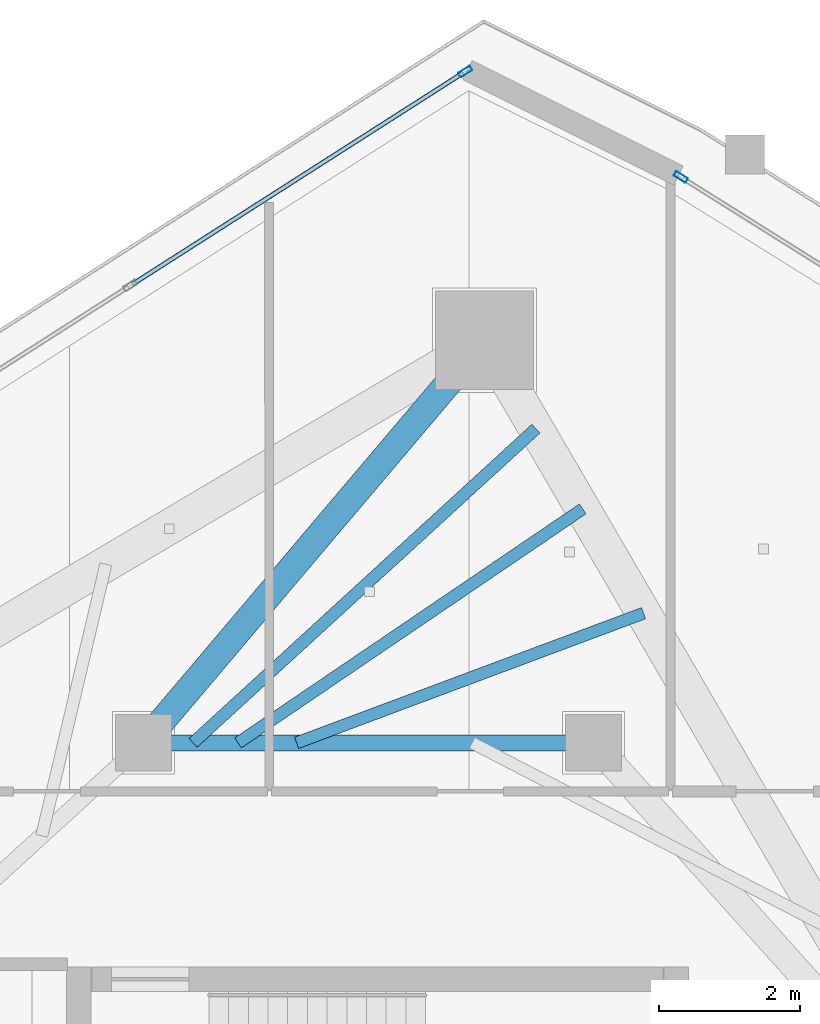
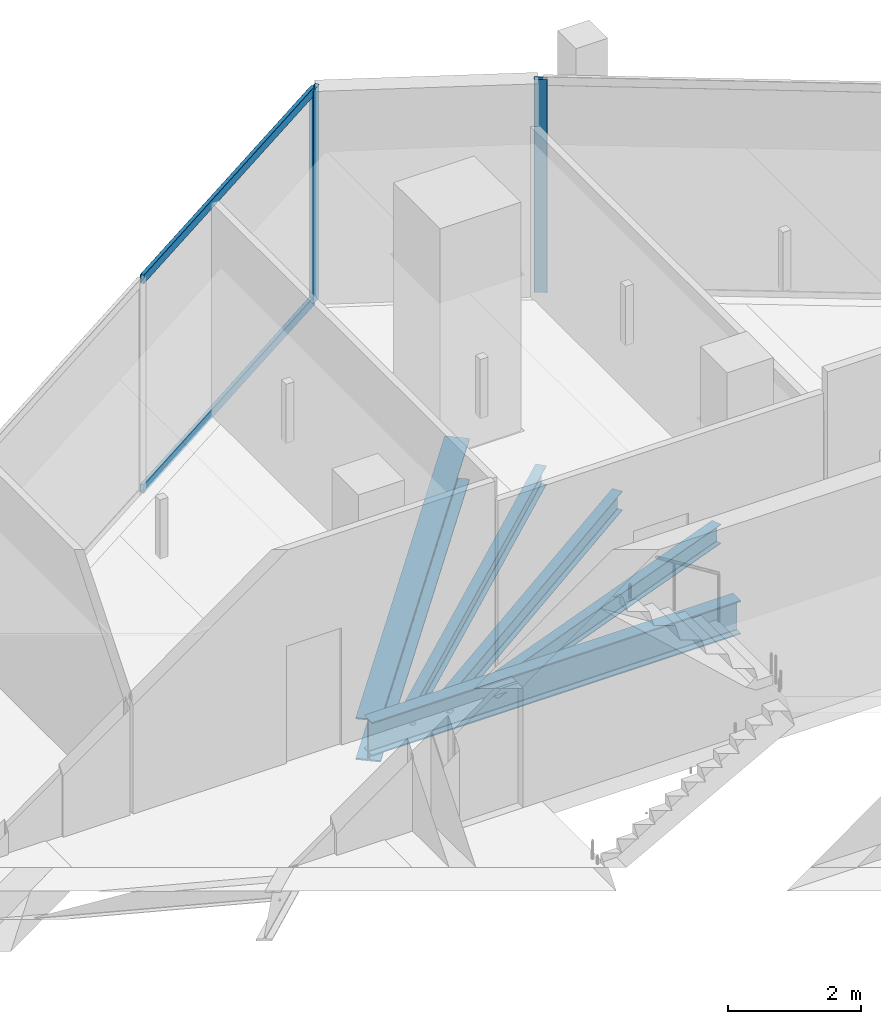
# One storey, part 13 of 24: 5 beams, 4 members, 2 elements without a shape of their own.
"""IFC4 building model written with IfcOpenShell, lengths in metres."""

from ifc_helpers import new_model, si_unit, direction, frame, origin, origin_2d, place, context, subcontext, project, spatial, hollow_rectangle, i_section, extrude, material, layer, layer_set, material_profile, profile_set, type_object, element, aggregate, save


model = new_model("IFC4")

# Units and contexts
model_context = context("Model", 3, precision=1e-05, world=origin(), true_north=direction((0.0, 1.0)))
body_context = subcontext(model_context, "Body", "Model", "MODEL_VIEW")
ifc_project = project(units=[si_unit("LENGTHUNIT", "METRE"), si_unit("AREAUNIT", "SQUARE_METRE"), si_unit("VOLUMEUNIT", "CUBIC_METRE"), si_unit("PLANEANGLEUNIT", "RADIAN"), si_unit("MASSUNIT", "GRAM", prefix="KILO")], contexts=[model_context])

# Site, building, storey
site_placement = place(None, origin())
site = spatial("IfcSite", under=ifc_project, at=site_placement, CompositionType="ELEMENT")
building_placement = place(site_placement, origin())
building = spatial("IfcBuilding", under=site, at=building_placement, Name="Qorvath Tower", CompositionType="ELEMENT")
storey_placement = place(building_placement, frame((0.0, 0.0, 318.60009765625)))
storey = spatial("IfcBuildingStorey", under=building, at=storey_placement, Name="L74", CompositionType="ELEMENT", Elevation=318.60009765625)

# Beams
ifc_material_1 = material(Name="Steel ASTM A992 Grade 50", Category="steel")
ifc_material_profile_1 = material_profile(ifc_material_1, i_section(OverallWidth=0.381103515625, OverallDepth=0.77294921875, WebThickness=0.0166015625, FlangeThickness=0.027099609375, FilletRadius=0.01904296875, at=origin_2d()), Name="W30x173")
ifc_profile_set_1 = profile_set([ifc_material_profile_1], Name="Steel ASTM A992 Grade 50")
beam_type_1 = type_object("IfcBeamType", Name="BM-FG3", PredefinedType="BEAM", material=ifc_profile_set_1)
beam_1_placement = place(storey_placement, frame((-23.60009765625, 11.449951171875, -0.676513671875), z_axis=(0.646321389876, 0.763065305848, 0.0), x_axis=(-0.763065305848, 0.646321389876, 0.0)))
element("IfcBeam", 1, at=beam_1_placement, inside=storey, type_object=beam_type_1, Name="Radial Floor Girder CC1-MC6 L74", PredefinedType="BEAM", context=body_context, shape_type="SweptSolid", body=[
    extrude(i_section(OverallWidth=0.381103515625, OverallDepth=0.77294921875, WebThickness=0.0166015625, FlangeThickness=0.027099609375, FilletRadius=0.01904296875, at=origin_2d()), origin(), (0.0, 0.0, 1.0), 7.50341796875),
])
ifc_material_2 = material(Name="Steel ASTM A992 Grade 50", Category="steel")
ifc_material_profile_2 = material_profile(ifc_material_2, i_section(OverallWidth=0.22998046875, OverallDepth=0.616943359375, WebThickness=0.01318359375, FlangeThickness=0.022216796875, FilletRadius=0.014892578125, at=origin_2d()), Name="W24x94")
ifc_profile_set_2 = profile_set([ifc_material_profile_2], Name="Steel ASTM A992 Grade 50")
beam_type_2 = type_object("IfcBeamType", Name="BM-FG6", PredefinedType="BEAM", material=ifc_profile_set_2)
beam_2_placement = place(storey_placement, frame((-23.60009765625, 11.449951171875, -0.598388671875), z_axis=(1.0, 0.0, 0.0), x_axis=(0.0, 1.0, 0.0)))
element("IfcBeam", 2, at=beam_2_placement, inside=storey, type_object=beam_type_2, Name="Core Ring Girder CC1-CC2 L74", PredefinedType="BEAM", context=body_context, shape_type="SweptSolid", body=[
    extrude(i_section(OverallWidth=0.22998046875, OverallDepth=0.616943359375, WebThickness=0.01318359375, FlangeThickness=0.022216796875, FilletRadius=0.014892578125, at=origin_2d()), origin(), (0.0, 0.0, 1.0), 6.400146484375),
])
ifc_material_3 = material(Name="Steel ASTM A992 Grade 50", Category="steel")
ifc_material_profile_3 = material_profile(ifc_material_3, i_section(OverallWidth=0.1708984375, OverallDepth=0.35107421875, WebThickness=0.0068359375, FlangeThickness=0.009765625, FilletRadius=0.010009765625, at=origin_2d()), Name="W14x30")
ifc_profile_set_3 = profile_set([ifc_material_profile_3], Name="Steel ASTM A992 Grade 50")
beam_type_3 = type_object("IfcBeamType", Name="BM-FJ4", PredefinedType="JOIST", material=ifc_profile_set_3)
beam_3_placement = place(storey_placement, frame((-21.424072265625, 11.449951171875, -0.465576171875), z_axis=(0.936775909139, 0.349929844478, 0.0), x_axis=(-0.349929844478, 0.936775909139, 0.0)))
element("IfcBeam", 3, at=beam_3_placement, inside=storey, type_object=beam_type_3, Name="Composite Floor Joist NE5 L74", PredefinedType="JOIST", context=body_context, shape_type="SweptSolid", body=[
    extrude(i_section(OverallWidth=0.1708984375, OverallDepth=0.35107421875, WebThickness=0.0068359375, FlangeThickness=0.009765625, FilletRadius=0.010009765625, at=origin_2d()), origin(), (0.0, 0.0, 1.0), 5.268798828125),
])
beam_4_placement = place(storey_placement, frame((-22.256103515625, 11.449951171875, -0.465576171875), z_axis=(0.827400561462, 0.56161224247, 0.0), x_axis=(-0.56161224247, 0.827400561462, 0.0)))
element("IfcBeam", 4, at=beam_4_placement, inside=storey, type_object=beam_type_3, Name="Composite Floor Joist NE6 L74", PredefinedType="JOIST", context=body_context, shape_type="SweptSolid", body=[
    extrude(i_section(OverallWidth=0.1708984375, OverallDepth=0.35107421875, WebThickness=0.0068359375, FlangeThickness=0.009765625, FilletRadius=0.010009765625, at=origin_2d()), origin(), (0.0, 0.0, 1.0), 5.925537109375),
])
beam_5_placement = place(storey_placement, frame((-22.89599609375, 11.449951171875, -0.465576171875), z_axis=(0.737232260457, 0.675639396528, 0.0), x_axis=(-0.675639396528, 0.737232260457, 0.0)))
element("IfcBeam", 5, at=beam_5_placement, inside=storey, type_object=beam_type_3, Name="Composite Floor Joist NE7 L74", PredefinedType="JOIST", context=body_context, shape_type="SweptSolid", body=[
    extrude(i_section(OverallWidth=0.1708984375, OverallDepth=0.35107421875, WebThickness=0.0068359375, FlangeThickness=0.009765625, FilletRadius=0.010009765625, at=origin_2d()), origin(), (0.0, 0.0, 1.0), 6.615478515625),
])

# Curtain wall, member
ifc_material_4 = material(Name="Anodised aluminium and triple low-E glass", Category="aluminium")
ifc_layer = layer(ifc_material_4, 0.179931640625)
ifc_layer_set = layer_set([ifc_layer], Name="CW-SYS-4")
curtain_wall_type = type_object("IfcCurtainWallType", Name="CW-SYS-4", PredefinedType="NOTDEFINED", material=ifc_layer_set)
curtain_wall_1_placement = place(storey_placement, origin())
curtain_wall_1 = element("IfcCurtainWall", 6, at=curtain_wall_1_placement, inside=storey, type_object=curtain_wall_type, Name="Curtain Wall CW-4 CW-T-L74-14.1", PredefinedType="NOTDEFINED")
ifc_material_5 = material(Name="Anodised aluminium 6063-T6", Category="aluminium")
ifc_material_profile_4 = material_profile(ifc_material_5, hollow_rectangle(XDim=0.074951171875, YDim=0.199951171875, WallThickness=0.00390625, InnerFilletRadius=0.00390625, OuterFilletRadius=0.008056640625, at=origin_2d()), Name="CWM 200x75")
ifc_profile_set_4 = profile_set([ifc_material_profile_4], Name="Anodised aluminium 6063-T6")
member_type_1 = type_object("IfcMemberType", Name="CWM-200", PredefinedType="MULLION", material=ifc_profile_set_4)
member_1_placement = place(storey_placement, frame((-15.958984375, 19.498291015625, 0.0), z_axis=(0.0, 0.0, 1.0), x_axis=(-0.531317282713, -0.847172913336, 0.0)))
member_1 = element("IfcMember", 7, at=member_1_placement, type_object=member_type_1, Name="CW-4 mullion 2", PredefinedType="MULLION", context=body_context, shape_type="SweptSolid", body=[
    extrude(hollow_rectangle(XDim=0.074951171875, YDim=0.199951171875, WallThickness=0.00390625, InnerFilletRadius=0.00390625, OuterFilletRadius=0.008056640625, at=origin_2d()), origin(), (0.0, 0.0, 1.0), 3.909912109375),
])
aggregate(curtain_wall_1, [member_1])

# Curtain wall, members
curtain_wall_2_placement = place(storey_placement, origin())
curtain_wall_2 = element("IfcCurtainWall", 8, at=curtain_wall_2_placement, inside=storey, type_object=curtain_wall_type, Name="Curtain Wall CW-4 CW-T-L74-16.1", PredefinedType="NOTDEFINED")
member_2_placement = place(storey_placement, frame((-19.02490234375, 20.9990234375, 0.0), z_axis=(0.0, 0.0, 1.0), x_axis=(0.538531704636, -0.842605247493, 0.0)))
member_2 = element("IfcMember", 9, at=member_2_placement, type_object=member_type_1, Name="CW-4 mullion 1", PredefinedType="MULLION", context=body_context, shape_type="SweptSolid", body=[
    extrude(hollow_rectangle(XDim=0.074951171875, YDim=0.199951171875, WallThickness=0.00390625, InnerFilletRadius=0.00390625, OuterFilletRadius=0.008056640625, at=origin_2d()), origin(), (0.0, 0.0, 1.0), 3.909912109375),
])
ifc_material_6 = material(Name="Anodised aluminium 6063-T6", Category="aluminium")
ifc_material_profile_5 = material_profile(ifc_material_6, hollow_rectangle(XDim=0.06494140625, YDim=0.159912109375, WallThickness=0.00341796875, InnerFilletRadius=0.00341796875, OuterFilletRadius=0.007080078125, at=origin_2d()), Name="CWT 160x65")
ifc_profile_set_5 = profile_set([ifc_material_profile_5], Name="Anodised aluminium 6063-T6")
member_type_2 = type_object("IfcMemberType", Name="CWT-160", PredefinedType="USERDEFINED", material=ifc_profile_set_5)
member_3_placement = place(storey_placement, frame((-19.056640625, 20.97900390625, 0.032470703125), z_axis=(-0.842585950362, -0.538561896399, 0.0), x_axis=(0.538561896399, -0.842585950362, 0.0)))
member_3 = element("IfcMember", 10, at=member_3_placement, type_object=member_type_2, Name="CW-4 transom 1.1", ObjectType="TRANSOM", PredefinedType="USERDEFINED", context=body_context, shape_type="SweptSolid", body=[
    extrude(hollow_rectangle(XDim=0.06494140625, YDim=0.159912109375, WallThickness=0.00341796875, InnerFilletRadius=0.00341796875, OuterFilletRadius=0.007080078125, at=origin_2d()), origin(), (0.0, 0.0, 1.0), 5.579345703125),
])
member_4_placement = place(storey_placement, frame((-19.056640625, 20.97900390625, 3.87744140625), z_axis=(-0.842585950362, -0.538561896399, 0.0), x_axis=(0.538561896399, -0.842585950362, 0.0)))
member_4 = element("IfcMember", 11, at=member_4_placement, type_object=member_type_2, Name="CW-4 transom 1.2", ObjectType="TRANSOM", PredefinedType="USERDEFINED", context=body_context, shape_type="SweptSolid", body=[
    extrude(hollow_rectangle(XDim=0.06494140625, YDim=0.159912109375, WallThickness=0.00341796875, InnerFilletRadius=0.00341796875, OuterFilletRadius=0.007080078125, at=origin_2d()), origin(), (0.0, 0.0, 1.0), 5.579345703125),
])
aggregate(curtain_wall_2, [member_2, member_3, member_4])

save(model, "model.ifc")
